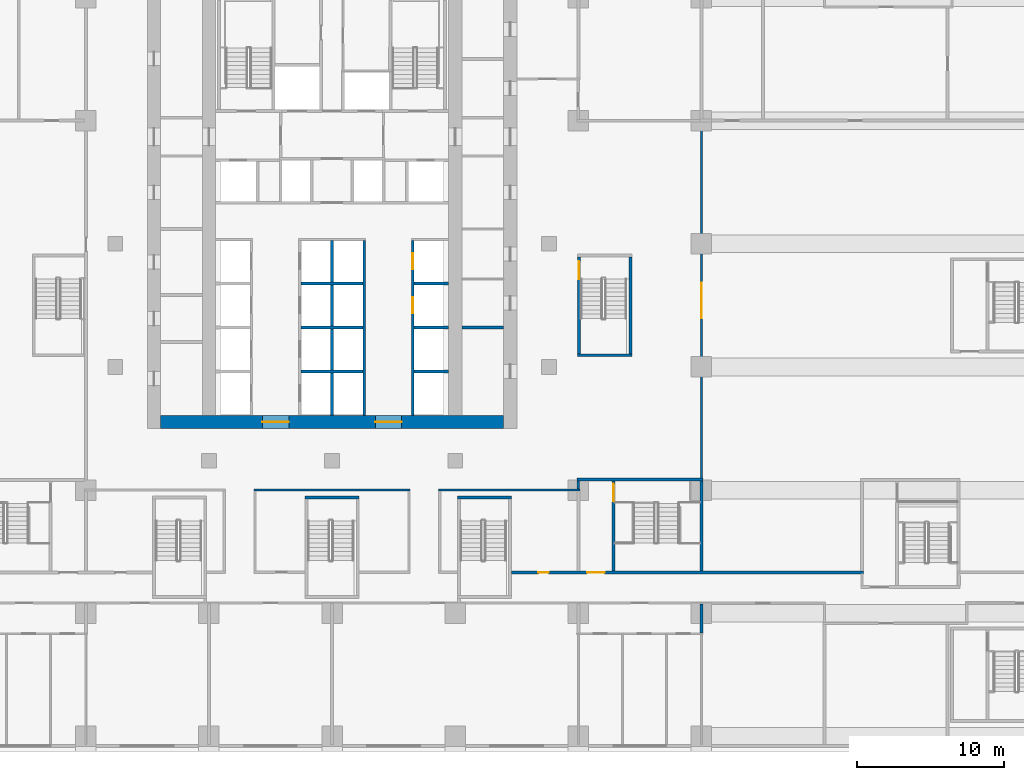
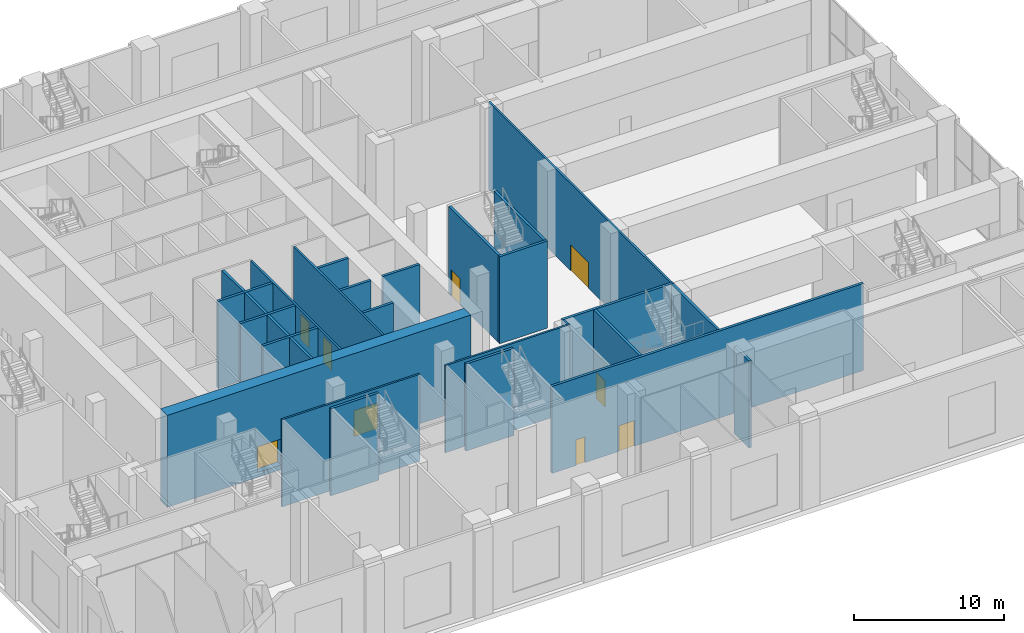
# One storey, part 9 of 29: 25 walls, 9 doors, 9 openings.
"""IFC4 building model written with IfcOpenShell, lengths in metres."""

from ifc_helpers import new_model, si_unit, direction, frame, frame_2d, origin, place, context, subcontext, project, spatial, rectangle, extrude, material, layer, layer_set, type_object, element, fill, save


model = new_model("IFC4")

# Units and contexts
model_context = context("Model", 3, precision=1e-05, world=origin(), true_north=direction((0.0, 1.0)))
body_context = subcontext(model_context, "Body", "Model", "MODEL_VIEW")
ifc_project = project(units=[si_unit("LENGTHUNIT", "METRE"), si_unit("AREAUNIT", "SQUARE_METRE"), si_unit("VOLUMEUNIT", "CUBIC_METRE"), si_unit("PLANEANGLEUNIT", "RADIAN"), si_unit("MASSUNIT", "GRAM", prefix="KILO")], contexts=[model_context])

# Site, building, storey
site_placement = place(None, origin())
site = spatial("IfcSite", under=ifc_project, at=site_placement, CompositionType="ELEMENT")
building_placement = place(site_placement, origin())
building = spatial("IfcBuilding", under=site, at=building_placement, Name="Vermilion Ogive Tower", CompositionType="ELEMENT")
storey_placement = place(building_placement, frame((0.0, 0.0, 12.5)))
storey = spatial("IfcBuildingStorey", under=building, at=storey_placement, Name="L02", CompositionType="ELEMENT", Elevation=12.5)

# Wall, openings, doors
ifc_material_1 = material(Name="Concrete B80", Category="concrete")
ifc_layer_1 = layer(ifc_material_1, 0.89990234375)
ifc_layer_set_1 = layer_set([ifc_layer_1], Name="Core wall 900 B80")
wall_type_1 = type_object("IfcWallType", Name="Core wall 900 B80", PredefinedType="SHEAR", material=ifc_layer_set_1)
wall_1_placement = place(storey_placement, frame((-11.699951171875, -7.949951171875, -0.39990234375), z_axis=(0.0, 0.0, 1.0), x_axis=(1.0, 0.0, 0.0)))
wall_1 = element("IfcWall", 1, at=wall_1_placement, inside=storey, type_object=wall_type_1, Name="L02-CORE-S", PredefinedType="SHEAR", context=body_context, shape_type="SweptSolid", body=[
    extrude(rectangle(XDim=23.39990234375, YDim=0.89990234375, at=frame_2d((11.699951171875, 0.0))), origin(), (0.0, 0.0, 1.0), 7.5),
])
opening_1_placement = place(wall_1_placement, frame((6.949951171875, 0.0, 0.39990234375)))
opening_1 = element("IfcOpeningElement", 2, at=opening_1_placement, cuts=wall_1, Name="Opening DAR005", PredefinedType="OPENING", context=body_context, shape_type="SweptSolid", body=[
    extrude(rectangle(XDim=1.800048828125, YDim=2.10009765625, at=frame_2d((0.89990234375, 1.050048828125))), frame((0.0, 0.4599609375, 0.0), z_axis=(0.0, -1.0, 0.0), x_axis=(1.0, 0.0, 0.0)), (0.0, 0.0, 1.0), 0.919921875),
])
opening_2_placement = place(wall_1_placement, frame((14.64990234375, 0.0, 0.39990234375)))
opening_2 = element("IfcOpeningElement", 3, at=opening_2_placement, cuts=wall_1, Name="Opening DAR006", PredefinedType="OPENING", context=body_context, shape_type="SweptSolid", body=[
    extrude(rectangle(XDim=1.800048828125, YDim=2.10009765625, at=frame_2d((0.89990234375, 1.050048828125))), frame((0.0, 0.4599609375, 0.0), z_axis=(0.0, -1.0, 0.0), x_axis=(1.0, 0.0, 0.0)), (0.0, 0.0, 1.0), 0.919921875),
])
ifc_material_2 = material(Name="Timber door leaf", Category="wood")
door_type_1 = type_object("IfcDoorType", Name="Core entry door 1800 x 2100 FD60S", OperationType="DOUBLE_DOOR_SINGLE_SWING", PredefinedType="DOOR", material=ifc_material_2)
door_1_placement = place(opening_1_placement, origin())
door_1 = element("IfcDoor", 4, at=door_1_placement, inside=storey, type_object=door_type_1, Name="L02-CK-XD1", OperationType="SINGLE_SWING_LEFT", OverallHeight=2.10009765625, OverallWidth=1.800048828125, PredefinedType="DOOR", context=body_context, shape_type="SweptSolid", body=[
    extrude(rectangle(XDim=1.800048828125, YDim=2.10009765625, at=frame_2d((0.89990234375, 1.050048828125))), frame((0.0, 0.02490234375, 0.0), z_axis=(0.0, -1.0, 0.0), x_axis=(1.0, 0.0, 0.0)), (0.0, 0.0, 1.0), 0.050048828125),
])
fill(opening_1, door_1)
door_2_placement = place(opening_2_placement, origin())
door_2 = element("IfcDoor", 5, at=door_2_placement, inside=storey, type_object=door_type_1, Name="L02-CK-XD2", OperationType="SINGLE_SWING_LEFT", OverallHeight=2.10009765625, OverallWidth=1.800048828125, PredefinedType="DOOR", context=body_context, shape_type="SweptSolid", body=[
    extrude(rectangle(XDim=1.800048828125, YDim=2.10009765625, at=frame_2d((0.89990234375, 1.050048828125))), frame((0.0, 0.02490234375, 0.0), z_axis=(0.0, -1.0, 0.0), x_axis=(1.0, 0.0, 0.0)), (0.0, 0.0, 1.0), 0.050048828125),
])
fill(opening_2, door_2)

# Walls
ifc_material_3 = material(Name="Gypsum board partition on steel studs", Category="steel")
ifc_layer_2 = layer(ifc_material_3, 0.14990234375)
ifc_layer_set_2 = layer_set([ifc_layer_2], Name="Partition 150 corridor")
wall_type_2 = type_object("IfcWallType", Name="Partition 150 corridor", PredefinedType="PARTITIONING", material=ifc_layer_set_2)
wall_2_placement = place(storey_placement, frame((-5.324951171875, -12.60009765625, 0.0), z_axis=(0.0, 0.0, 1.0), x_axis=(1.0, 0.0, 0.0)))
element("IfcWall", 6, at=wall_2_placement, inside=storey, type_object=wall_type_2, Name="L02-FS-W-W017", PredefinedType="PARTITIONING", context=body_context, shape_type="SweptSolid", body=[
    extrude(rectangle(XDim=10.64990234375, YDim=0.14990234375, at=frame_2d((5.324951171875, 0.0))), origin(), (0.0, 0.0, 1.0), 7.10009765625),
])
wall_3_placement = place(storey_placement, frame((7.27490234375, -12.60009765625, 0.0), z_axis=(0.0, 0.0, 1.0), x_axis=(1.0, 0.0, 0.0)))
element("IfcWall", 7, at=wall_3_placement, inside=storey, type_object=wall_type_2, Name="L02-FS-W-W018", PredefinedType="PARTITIONING", context=body_context, shape_type="SweptSolid", body=[
    extrude(rectangle(XDim=9.625, YDim=0.14990234375, at=frame_2d((4.8125, 0.0))), origin(), (0.0, 0.0, 1.0), 7.10009765625),
])
wall_4_placement = place(storey_placement, frame((16.800048828125, -12.52490234375, 0.0), z_axis=(0.0, 0.0, 1.0), x_axis=(0.0, 1.0, 0.0)))
element("IfcWall", 8, at=wall_4_placement, inside=storey, type_object=wall_type_2, Name="L02-FS-W-W063", PredefinedType="PARTITIONING", context=body_context, shape_type="SweptSolid", body=[
    extrude(rectangle(XDim=0.5498046875, YDim=0.14990234375, at=frame_2d((0.27490234375, 0.0))), origin(), (0.0, 0.0, 1.0), 7.10009765625),
])

# Wall, opening, door
wall_5_placement = place(storey_placement, frame((25.199951171875, -11.824951171875, 0.0), z_axis=(0.0, 0.0, 1.0), x_axis=(0.0, 1.0, 0.0)))
wall_5 = element("IfcWall", 9, at=wall_5_placement, inside=storey, type_object=wall_type_2, Name="L02-FS-W-W073", PredefinedType="PARTITIONING", context=body_context, shape_type="SweptSolid", body=[
    extrude(rectangle(XDim=24.324951171875, YDim=0.14990234375, at=frame_2d((12.16259765625, 0.0))), origin(), (0.0, 0.0, 1.0), 7.10009765625),
])
opening_3_placement = place(wall_5_placement, frame((10.96240234375, 0.0, 0.0)))
opening_3 = element("IfcOpeningElement", 10, at=opening_3_placement, cuts=wall_5, Name="Opening L02S029", PredefinedType="OPENING", context=body_context, shape_type="SweptSolid", body=[
    extrude(rectangle(XDim=2.39990234375, YDim=2.10009765625, at=frame_2d((1.199951171875, 1.050048828125))), frame((0.0, 0.0849609375, 0.0), z_axis=(0.0, -1.0, 0.0), x_axis=(1.0, 0.0, 0.0)), (0.0, 0.0, 1.0), 0.169921875),
])
ifc_material_4 = material(Name="Timber door leaf", Category="wood")
door_type_2 = type_object("IfcDoorType", Name="Assembly door 2400 x 2100 FD30", OperationType="DOUBLE_DOOR_SINGLE_SWING", PredefinedType="DOOR", material=ifc_material_4)
door_3_placement = place(opening_3_placement, origin())
door_3 = element("IfcDoor", 11, at=door_3_placement, inside=storey, type_object=door_type_2, Name="L02-FS-D-D029", OperationType="DOUBLE_DOOR_SINGLE_SWING", OverallHeight=2.10009765625, OverallWidth=2.39990234375, PredefinedType="DOOR", context=body_context, shape_type="SweptSolid", body=[
    extrude(rectangle(XDim=2.39990234375, YDim=2.10009765625, at=frame_2d((1.199951171875, 1.050048828125))), frame((0.0, 0.02490234375, 0.0), z_axis=(0.0, -1.0, 0.0), x_axis=(1.0, 0.0, 0.0)), (0.0, 0.0, 1.0), 0.050048828125),
])
fill(opening_3, door_3)

# Wall
wall_6_placement = place(storey_placement, frame((2.199951171875, -7.4990234375, 0.0), z_axis=(0.0, 0.0, 1.0), x_axis=(0.0, 1.0, 0.0)))
element("IfcWall", 12, at=wall_6_placement, inside=storey, type_object=wall_type_2, Name="L02-CK-W-W034", PredefinedType="PARTITIONING", context=body_context, shape_type="SweptSolid", body=[
    extrude(rectangle(XDim=11.924072265625, YDim=0.14990234375, at=frame_2d((5.9619140625, 0.0))), origin(), (0.0, 0.0, 1.0), 7.10009765625),
])

# Wall, openings, doors
wall_7_placement = place(storey_placement, frame((5.5, -7.4990234375, 0.0), z_axis=(0.0, 0.0, 1.0), x_axis=(0.0, 1.0, 0.0)))
wall_7 = element("IfcWall", 13, at=wall_7_placement, inside=storey, type_object=wall_type_2, Name="L02-CK-W-W040", PredefinedType="PARTITIONING", context=body_context, shape_type="SweptSolid", body=[
    extrude(rectangle(XDim=11.924072265625, YDim=0.14990234375, at=frame_2d((5.9619140625, 0.0))), origin(), (0.0, 0.0, 1.0), 7.10009765625),
])
opening_4_placement = place(wall_7_placement, frame((6.948974609375, 0.0, 0.0)))
opening_4 = element("IfcOpeningElement", 14, at=opening_4_placement, cuts=wall_7, Name="Opening DAB076", PredefinedType="OPENING", context=body_context, shape_type="SweptSolid", body=[
    extrude(rectangle(XDim=1.10009765625, YDim=2.10009765625, at=frame_2d((0.550048828125, 1.050048828125))), frame((0.0, 0.0849609375, 0.0), z_axis=(0.0, -1.0, 0.0), x_axis=(1.0, 0.0, 0.0)), (0.0, 0.0, 1.0), 0.169921875),
])
opening_5_placement = place(wall_7_placement, frame((9.948974609375, 0.0, 0.0)))
opening_5 = element("IfcOpeningElement", 15, at=opening_5_placement, cuts=wall_7, Name="Opening DAB065", PredefinedType="OPENING", context=body_context, shape_type="SweptSolid", body=[
    extrude(rectangle(XDim=1.10009765625, YDim=2.10009765625, at=frame_2d((0.550048828125, 1.050048828125))), frame((0.0, 0.0849609375, 0.0), z_axis=(0.0, -1.0, 0.0), x_axis=(1.0, 0.0, 0.0)), (0.0, 0.0, 1.0), 0.169921875),
])
ifc_material_5 = material(Name="Stainless steel", Category="steel")
door_type_3 = type_object("IfcDoorType", Name="Lift landing door 1100 x 2100", OperationType="SLIDING_TO_LEFT", PredefinedType="DOOR", material=ifc_material_5)
door_4_placement = place(opening_4_placement, origin())
door_4 = element("IfcDoor", 16, at=door_4_placement, inside=storey, type_object=door_type_3, Name="L02-CK-D-D009", OperationType="SLIDING_TO_RIGHT", OverallHeight=2.10009765625, OverallWidth=1.10009765625, PredefinedType="DOOR", context=body_context, shape_type="SweptSolid", body=[
    extrude(rectangle(XDim=1.10009765625, YDim=2.10009765625, at=frame_2d((0.550048828125, 1.050048828125))), frame((0.0, 0.02490234375, 0.0), z_axis=(0.0, -1.0, 0.0), x_axis=(1.0, 0.0, 0.0)), (0.0, 0.0, 1.0), 0.050048828125),
])
fill(opening_4, door_4)
door_5_placement = place(opening_5_placement, origin())
door_5 = element("IfcDoor", 17, at=door_5_placement, inside=storey, type_object=door_type_3, Name="L02-CK-D-D010", OperationType="SLIDING_TO_RIGHT", OverallHeight=2.10009765625, OverallWidth=1.10009765625, PredefinedType="DOOR", context=body_context, shape_type="SweptSolid", body=[
    extrude(rectangle(XDim=1.10009765625, YDim=2.10009765625, at=frame_2d((0.550048828125, 1.050048828125))), frame((0.0, 0.02490234375, 0.0), z_axis=(0.0, -1.0, 0.0), x_axis=(1.0, 0.0, 0.0)), (0.0, 0.0, 1.0), 0.050048828125),
])
fill(opening_5, door_5)

# Walls
ifc_material_6 = material(Name="Gypsum board partition on steel studs", Category="steel")
ifc_layer_3 = layer(ifc_material_6, 0.199951171875)
ifc_layer_set_3 = layer_set([ifc_layer_3], Name="Partition 200 party")
wall_type_3 = type_object("IfcWallType", Name="Partition 200 party", PredefinedType="PARTITIONING", material=ifc_layer_set_3)
wall_8_placement = place(storey_placement, frame((25.199951171875, -22.35009765625, 0.0), z_axis=(0.0, 0.0, 1.0), x_axis=(0.0, 1.0, 0.0)))
element("IfcWall", 18, at=wall_8_placement, inside=storey, type_object=wall_type_3, Name="L02-FS-W-W071", PredefinedType="PARTITIONING", context=body_context, shape_type="SweptSolid", body=[
    extrude(rectangle(XDim=1.97509765625, YDim=0.199951171875, at=frame_2d((0.987548828125, 0.0))), origin(), (0.0, 0.0, 1.0), 7.10009765625),
])
wall_9_placement = place(storey_placement, frame((-2.125, -4.5, 0.0), z_axis=(0.0, 0.0, 1.0), x_axis=(1.0, 0.0, 0.0)))
element("IfcWall", 19, at=wall_9_placement, inside=storey, type_object=wall_type_3, Name="L02-CK-W-W002", PredefinedType="PARTITIONING", context=body_context, shape_type="SweptSolid", body=[
    extrude(rectangle(XDim=4.25, YDim=0.199951171875, at=frame_2d((2.125, 0.0))), origin(), (0.0, 0.0, 1.0), 7.10009765625),
])
wall_10_placement = place(storey_placement, frame((5.574951171875, -4.5, 0.0), z_axis=(0.0, 0.0, 1.0), x_axis=(1.0, 0.0, 0.0)))
element("IfcWall", 20, at=wall_10_placement, inside=storey, type_object=wall_type_3, Name="L02-CK-W-W003", PredefinedType="PARTITIONING", context=body_context, shape_type="SweptSolid", body=[
    extrude(rectangle(XDim=2.3740234375, YDim=0.199951171875, at=frame_2d((1.18701171875, 0.0))), origin(), (0.0, 0.0, 1.0), 7.10009765625),
])
wall_11_placement = place(storey_placement, frame((-2.125, -1.5, 0.0), z_axis=(0.0, 0.0, 1.0), x_axis=(1.0, 0.0, 0.0)))
element("IfcWall", 21, at=wall_11_placement, inside=storey, type_object=wall_type_3, Name="L02-CK-W-W005", PredefinedType="PARTITIONING", context=body_context, shape_type="SweptSolid", body=[
    extrude(rectangle(XDim=4.25, YDim=0.199951171875, at=frame_2d((2.125, 0.0))), origin(), (0.0, 0.0, 1.0), 7.10009765625),
])
wall_12_placement = place(storey_placement, frame((5.574951171875, -1.5, 0.0), z_axis=(0.0, 0.0, 1.0), x_axis=(1.0, 0.0, 0.0)))
element("IfcWall", 22, at=wall_12_placement, inside=storey, type_object=wall_type_3, Name="L02-CK-W-W006", PredefinedType="PARTITIONING", context=body_context, shape_type="SweptSolid", body=[
    extrude(rectangle(XDim=2.3740234375, YDim=0.199951171875, at=frame_2d((1.18701171875, 0.0))), origin(), (0.0, 0.0, 1.0), 7.10009765625),
])
wall_13_placement = place(storey_placement, frame((-2.125, 1.5, 0.0), z_axis=(0.0, 0.0, 1.0), x_axis=(1.0, 0.0, 0.0)))
element("IfcWall", 23, at=wall_13_placement, inside=storey, type_object=wall_type_3, Name="L02-CK-W-W008", PredefinedType="PARTITIONING", context=body_context, shape_type="SweptSolid", body=[
    extrude(rectangle(XDim=4.25, YDim=0.199951171875, at=frame_2d((2.125, 0.0))), origin(), (0.0, 0.0, 1.0), 7.10009765625),
])
wall_14_placement = place(storey_placement, frame((5.574951171875, 1.5, 0.0), z_axis=(0.0, 0.0, 1.0), x_axis=(1.0, 0.0, 0.0)))
element("IfcWall", 24, at=wall_14_placement, inside=storey, type_object=wall_type_3, Name="L02-CK-W-W009", PredefinedType="PARTITIONING", context=body_context, shape_type="SweptSolid", body=[
    extrude(rectangle(XDim=2.3740234375, YDim=0.199951171875, at=frame_2d((1.18701171875, 0.0))), origin(), (0.0, 0.0, 1.0), 7.10009765625),
])
wall_15_placement = place(storey_placement, frame((0.0, -7.4990234375, 0.0), z_axis=(0.0, 0.0, 1.0), x_axis=(0.0, 1.0, 0.0)))
element("IfcWall", 25, at=wall_15_placement, inside=storey, type_object=wall_type_3, Name="L02-CK-W-W030", PredefinedType="PARTITIONING", context=body_context, shape_type="SweptSolid", body=[
    extrude(rectangle(XDim=11.924072265625, YDim=0.199951171875, at=frame_2d((5.9619140625, 0.0))), origin(), (0.0, 0.0, 1.0), 7.10009765625),
])
wall_16_placement = place(storey_placement, frame((8.85107421875, -1.5, 0.0), z_axis=(0.0, 0.0, 1.0), x_axis=(1.0, 0.0, 0.0)))
element("IfcWall", 26, at=wall_16_placement, inside=storey, type_object=wall_type_3, Name="L02-CKE-W-W001", PredefinedType="PARTITIONING", context=body_context, shape_type="SweptSolid", body=[
    extrude(rectangle(XDim=2.847900390625, YDim=0.199951171875, at=frame_2d((1.423828125, 0.0))), origin(), (0.0, 0.0, 1.0), 7.10009765625),
])

# Wall, openings, doors
ifc_material_7 = material(Name="Concrete B60", Category="concrete")
ifc_layer_4 = layer(ifc_material_7, 0.199951171875)
ifc_layer_set_4 = layer_set([ifc_layer_4], Name="Stair shaft wall 200 Concrete B60")
wall_type_4 = type_object("IfcWallType", Name="Stair shaft wall 200 Concrete B60", PredefinedType="SOLIDWALL", material=ifc_layer_set_4)
wall_17_placement = place(storey_placement, frame((12.25, -18.224853515625, 0.0), z_axis=(0.0, 0.0, 1.0), x_axis=(1.0, 0.0, 0.0)))
wall_17 = element("IfcWall", 27, at=wall_17_placement, inside=storey, type_object=wall_type_4, Name="L02-FS-W-W014", PredefinedType="SOLIDWALL", context=body_context, shape_type="SweptSolid", body=[
    extrude(rectangle(XDim=24.0, YDim=0.199951171875, at=frame_2d((12.0, 0.0))), origin(), (0.0, 0.0, 1.0), 7.10009765625),
])
opening_6_placement = place(wall_17_placement, frame((5.14990234375, 0.0, 0.0)))
opening_6 = element("IfcOpeningElement", 28, at=opening_6_placement, cuts=wall_17, Name="Opening L02S012", PredefinedType="OPENING", context=body_context, shape_type="SweptSolid", body=[
    extrude(rectangle(XDim=1.199951171875, YDim=2.10009765625, at=frame_2d((0.60009765625, 1.050048828125))), frame((0.0, 0.10986328125, 0.0), z_axis=(0.0, -1.0, 0.0), x_axis=(1.0, 0.0, 0.0)), (0.0, 0.0, 1.0), 0.219970703125),
])
opening_7_placement = place(wall_17_placement, frame((1.824951171875, 0.0, 0.0)))
opening_7 = element("IfcOpeningElement", 29, at=opening_7_placement, cuts=wall_17, Name="Opening L02S050", PredefinedType="OPENING", context=body_context, shape_type="SweptSolid", body=[
    extrude(rectangle(XDim=0.699951171875, YDim=2.10009765625, at=frame_2d((0.35009765625, 1.050048828125))), frame((0.0, 0.10986328125, 0.0), z_axis=(0.0, -1.0, 0.0), x_axis=(1.0, 0.0, 0.0)), (0.0, 0.0, 1.0), 0.219970703125),
])
ifc_material_8 = material(Name="Timber door leaf", Category="wood")
door_type_4 = type_object("IfcDoorType", Name="Room door 700 x 2100 FD30", OperationType="SINGLE_SWING_LEFT", PredefinedType="DOOR", material=ifc_material_8)
door_6_placement = place(opening_7_placement, origin())
door_6 = element("IfcDoor", 30, at=door_6_placement, inside=storey, type_object=door_type_4, Name="L02-FS-D-D050", OperationType="SINGLE_SWING_LEFT", OverallHeight=2.10009765625, OverallWidth=0.699951171875, PredefinedType="DOOR", context=body_context, shape_type="SweptSolid", body=[
    extrude(rectangle(XDim=0.699951171875, YDim=2.10009765625, at=frame_2d((0.35009765625, 1.050048828125))), frame((0.0, 0.02490234375, 0.0), z_axis=(0.0, -1.0, 0.0), x_axis=(1.0, 0.0, 0.0)), (0.0, 0.0, 1.0), 0.050048828125),
])
fill(opening_7, door_6)
ifc_material_9 = material(Name="Timber door leaf", Category="wood")
door_type_5 = type_object("IfcDoorType", Name="Stair door 1200 x 2100 FD60S", OperationType="SINGLE_SWING_LEFT", PredefinedType="DOOR", material=ifc_material_9)
door_7_placement = place(opening_6_placement, origin())
door_7 = element("IfcDoor", 31, at=door_7_placement, inside=storey, type_object=door_type_5, Name="L02-FS-D-D012", OperationType="SINGLE_SWING_LEFT", OverallHeight=2.10009765625, OverallWidth=1.199951171875, PredefinedType="DOOR", context=body_context, shape_type="SweptSolid", body=[
    extrude(rectangle(XDim=1.199951171875, YDim=2.10009765625, at=frame_2d((0.60009765625, 1.050048828125))), frame((0.0, 0.02490234375, 0.0), z_axis=(0.0, -1.0, 0.0), x_axis=(1.0, 0.0, 0.0)), (0.0, 0.0, 1.0), 0.050048828125),
])
fill(opening_6, door_7)

# Wall
wall_18_placement = place(storey_placement, frame((16.72509765625, -11.875, 0.0), z_axis=(0.0, 0.0, 1.0), x_axis=(1.0, 0.0, 0.0)))
element("IfcWall", 32, at=wall_18_placement, inside=storey, type_object=wall_type_4, Name="L02-FS-W-W020", PredefinedType="SOLIDWALL", context=body_context, shape_type="SweptSolid", body=[
    extrude(rectangle(XDim=8.574951171875, YDim=0.199951171875, at=frame_2d((4.28759765625, 0.0))), origin(), (0.0, 0.0, 1.0), 7.10009765625),
])

# Wall, opening, door
wall_19_placement = place(storey_placement, frame((19.199951171875, -18.125, 0.0), z_axis=(0.0, 0.0, 1.0), x_axis=(0.0, 1.0, 0.0)))
wall_19 = element("IfcWall", 33, at=wall_19_placement, inside=storey, type_object=wall_type_4, Name="L02-FS-W-W067", PredefinedType="SOLIDWALL", context=body_context, shape_type="SweptSolid", body=[
    extrude(rectangle(XDim=6.14990234375, YDim=0.199951171875, at=frame_2d((3.074951171875, 0.0))), origin(), (0.0, 0.0, 1.0), 7.10009765625),
])
opening_8_placement = place(wall_19_placement, frame((4.75, 0.0, 0.0)))
opening_8 = element("IfcOpeningElement", 34, at=opening_8_placement, cuts=wall_19, Name="Opening L02S003", PredefinedType="OPENING", context=body_context, shape_type="SweptSolid", body=[
    extrude(rectangle(XDim=1.199951171875, YDim=2.10009765625, at=frame_2d((0.60009765625, 1.050048828125))), frame((0.0, 0.10986328125, 0.0), z_axis=(0.0, -1.0, 0.0), x_axis=(1.0, 0.0, 0.0)), (0.0, 0.0, 1.0), 0.219970703125),
])
door_8_placement = place(opening_8_placement, origin())
door_8 = element("IfcDoor", 35, at=door_8_placement, inside=storey, type_object=door_type_5, Name="L02-FS-D-D003", OperationType="DOUBLE_DOOR_SINGLE_SWING", OverallHeight=2.10009765625, OverallWidth=1.199951171875, PredefinedType="DOOR", context=body_context, shape_type="SweptSolid", body=[
    extrude(rectangle(XDim=1.199951171875, YDim=2.10009765625, at=frame_2d((0.60009765625, 1.050048828125))), frame((0.0, 0.02490234375, 0.0), z_axis=(0.0, -1.0, 0.0), x_axis=(1.0, 0.0, 0.0)), (0.0, 0.0, 1.0), 0.050048828125),
])
fill(opening_8, door_8)

# Walls
wall_20_placement = place(storey_placement, frame((25.199951171875, -18.125, 0.0), z_axis=(0.0, 0.0, 1.0), x_axis=(0.0, 1.0, 0.0)))
element("IfcWall", 36, at=wall_20_placement, inside=storey, type_object=wall_type_4, Name="L02-FS-W-W072", PredefinedType="SOLIDWALL", context=body_context, shape_type="SweptSolid", body=[
    extrude(rectangle(XDim=6.14990234375, YDim=0.199951171875, at=frame_2d((3.074951171875, 0.0))), origin(), (0.0, 0.0, 1.0), 7.10009765625),
])
wall_21_placement = place(storey_placement, frame((-1.85009765625, -13.10009765625, 0.0), z_axis=(0.0, 0.0, 1.0), x_axis=(1.0, 0.0, 0.0)))
element("IfcWall", 37, at=wall_21_placement, inside=storey, type_object=wall_type_4, Name="L02-SW-ST4-N1", PredefinedType="SOLIDWALL", context=body_context, shape_type="SweptSolid", body=[
    extrude(rectangle(XDim=3.7001953125, YDim=0.199951171875, at=frame_2d((1.85009765625, 0.0))), origin(), (0.0, 0.0, 1.0), 7.10009765625),
])
for number, where, z_axis, x_axis, name in (
    (38, (8.550048828125, -13.10009765625, 0.0), (0.0, 0.0, 1.0), (1.0, 0.0, 0.0), "L02-SW-ST5-N1"),
    (39, (16.75, -3.39990234375, 0.0), (0.0, 0.0, 1.0), (1.0, 0.0, 0.0), "L02-SW-ST8-S1"),
):
    element("IfcWall", number, at=place(storey_placement, frame(where, z_axis=z_axis, x_axis=x_axis)), inside=storey, type_object=wall_type_4, Name=name, PredefinedType="SOLIDWALL", context=body_context, shape_type="SweptSolid", body=[
        extrude(rectangle(XDim=3.699951171875, YDim=0.199951171875, at=frame_2d((1.85009765625, 0.0))), origin(), (0.0, 0.0, 1.0), 7.10009765625),
    ])

# Wall, opening, door
wall_22_placement = place(storey_placement, frame((16.85009765625, -3.300048828125, 0.0), z_axis=(0.0, 0.0, 1.0), x_axis=(0.0, 1.0, 0.0)))
wall_22 = element("IfcWall", 40, at=wall_22_placement, inside=storey, type_object=wall_type_4, Name="L02-SW-ST8-W1", PredefinedType="SOLIDWALL", context=body_context, shape_type="SweptSolid", body=[
    extrude(rectangle(XDim=6.60009765625, YDim=0.199951171875, at=frame_2d((3.300048828125, 0.0))), origin(), (0.0, 0.0, 1.0), 7.10009765625),
])
opening_9_placement = place(wall_22_placement, frame((5.10009765625, 0.0, 0.0)))
opening_9 = element("IfcOpeningElement", 41, at=opening_9_placement, cuts=wall_22, Name="Opening DBF002", PredefinedType="OPENING", context=body_context, shape_type="SweptSolid", body=[
    extrude(rectangle(XDim=1.199951171875, YDim=2.10009765625, at=frame_2d((0.60009765625, 1.050048828125))), frame((0.0, 0.10986328125, 0.0), z_axis=(0.0, -1.0, 0.0), x_axis=(1.0, 0.0, 0.0)), (0.0, 0.0, 1.0), 0.219970703125),
])
door_9_placement = place(opening_9_placement, origin())
door_9 = element("IfcDoor", 42, at=door_9_placement, inside=storey, type_object=door_type_5, Name="L02-SD-ST8", OperationType="SINGLE_SWING_LEFT", OverallHeight=2.10009765625, OverallWidth=1.199951171875, PredefinedType="DOOR", context=body_context, shape_type="SweptSolid", body=[
    extrude(rectangle(XDim=1.199951171875, YDim=2.10009765625, at=frame_2d((0.60009765625, 1.050048828125))), frame((0.0, 0.02490234375, 0.0), z_axis=(0.0, -1.0, 0.0), x_axis=(1.0, 0.0, 0.0)), (0.0, 0.0, 1.0), 0.050048828125),
])
fill(opening_9, door_9)

# Wall
wall_23_placement = place(storey_placement, frame((20.35009765625, -3.300048828125, 0.0), z_axis=(0.0, 0.0, 1.0), x_axis=(0.0, 1.0, 0.0)))
element("IfcWall", 43, at=wall_23_placement, inside=storey, type_object=wall_type_4, Name="L02-SW-ST8-E1", PredefinedType="SOLIDWALL", context=body_context, shape_type="SweptSolid", body=[
    extrude(rectangle(XDim=6.60009765625, YDim=0.199951171875, at=frame_2d((3.300048828125, 0.0))), origin(), (0.0, 0.0, 1.0), 7.10009765625),
])

save(model, "model.ifc")
